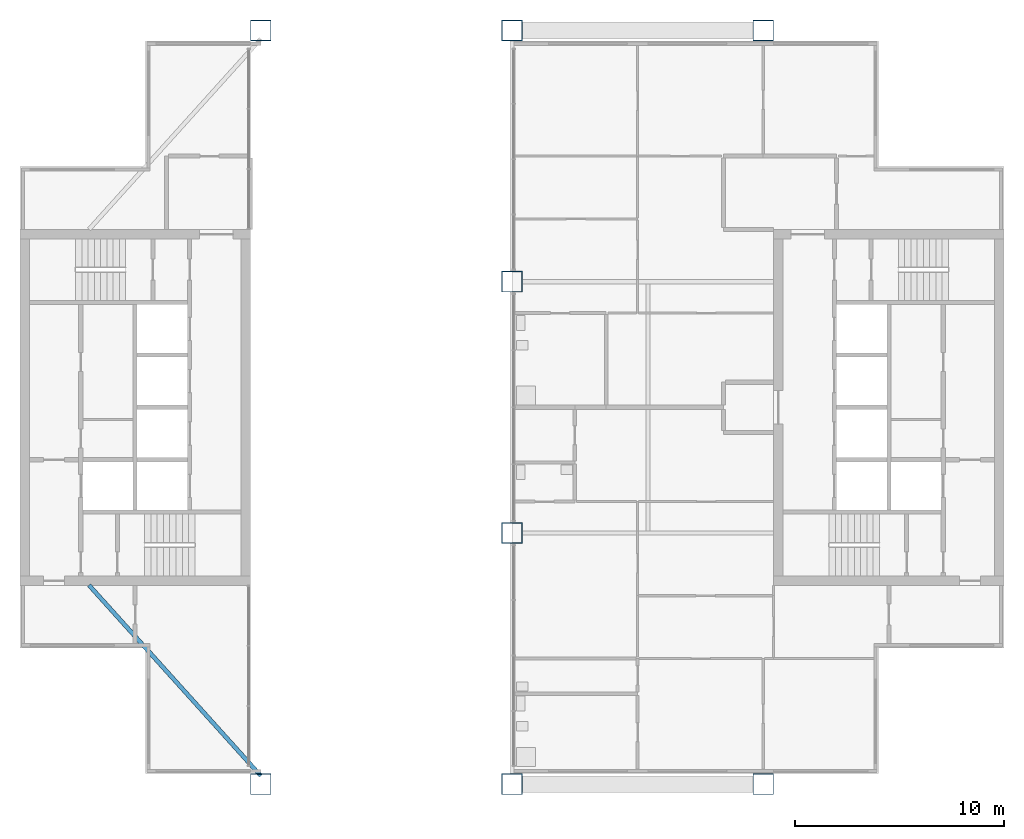
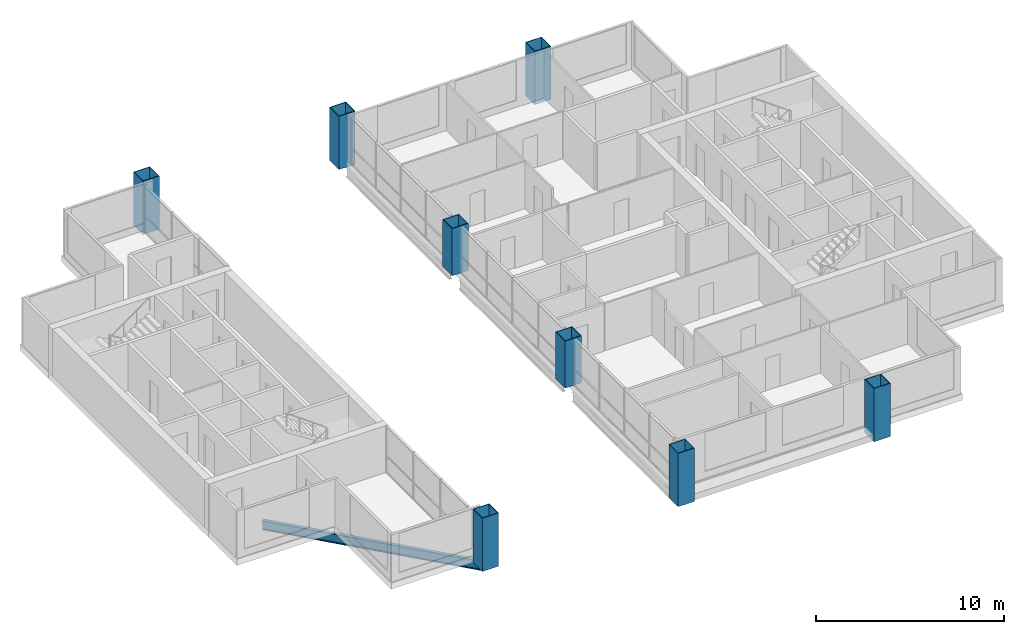
# One storey, part 1 of 12: 8 columns, 1 beam.
"""IFC4 building model written with IfcOpenShell, lengths in metres."""

from ifc_helpers import new_model, si_unit, direction, frame, origin, origin_2d, place, context, subcontext, project, spatial, hollow_rectangle, i_section, extrude, material, material_profile, profile_set, type_object, element, save


model = new_model("IFC4")

# Units and contexts
model_context = context("Model", 3, precision=1e-05, world=origin(), true_north=direction((0.0, 1.0)))
body_context = subcontext(model_context, "Body", "Model", "MODEL_VIEW")
ifc_project = project(units=[si_unit("LENGTHUNIT", "METRE"), si_unit("AREAUNIT", "SQUARE_METRE"), si_unit("VOLUMEUNIT", "CUBIC_METRE"), si_unit("PLANEANGLEUNIT", "RADIAN"), si_unit("MASSUNIT", "GRAM", prefix="KILO")], contexts=[model_context])

# Site, building, storey
site_placement = place(None, origin())
site = spatial("IfcSite", under=ifc_project, at=site_placement, CompositionType="ELEMENT")
building_placement = place(site_placement, origin())
building = spatial("IfcBuilding", under=site, at=building_placement, Name="Kitamizu Gate Tower and Museum", CompositionType="ELEMENT")
storey_placement = place(building_placement, frame((0.0, 0.0, 255.89990234375)))
storey = spatial("IfcBuildingStorey", under=building, at=storey_placement, Name="L69", CompositionType="ELEMENT", Elevation=255.89990234375)

# Columns
ifc_material_1 = material(Name="Steel SM490A bronze coated", Category="steel")
ifc_material_profile_1 = material_profile(ifc_material_1, hollow_rectangle(XDim=1.0, YDim=1.0, WallThickness=0.035888671875, at=origin_2d()), Name="BOX 1000x1000x36")
ifc_profile_set_1 = profile_set([ifc_material_profile_1], Name="Steel SM490A bronze coated")
column_type_1 = type_object("IfcColumnType", Name="Exoskeleton column XC9 BOX 1000x1000x36", PredefinedType="COLUMN", material=ifc_profile_set_1)
for number, where, z_axis, x_axis, name in (
    (1, (24.0, 12.0, -0.39990234375), (0.0, 0.0, 1.0), (1.0, 0.0, 0.0), "Column XC9 3B L69"),
    (2, (24.0, 48.0, -0.39990234375), (0.0, 0.0, 1.0), (1.0, 0.0, 0.0), "Column XC9 3E L69"),
    (3, (36.0, 12.0, -0.39990234375), (0.0, 0.0, 1.0), (1.0, 0.0, 0.0), "Column XC9 4B L69"),
    (4, (36.0, 48.0, -0.39990234375), (0.0, 0.0, 1.0), (1.0, 0.0, 0.0), "Column XC9 4E L69"),
    (5, (48.0, 12.0, -0.39990234375), (0.0, 0.0, 1.0), (1.0, 0.0, 0.0), "Column XC9 5B L69"),
    (6, (48.0, 48.0, -0.39990234375), (0.0, 0.0, 1.0), (1.0, 0.0, 0.0), "Column XC9 5E L69"),
):
    element("IfcColumn", number, at=place(storey_placement, frame(where, z_axis=z_axis, x_axis=x_axis)), inside=storey, type_object=column_type_1, Name=name, PredefinedType="COLUMN", context=body_context, shape_type="SweptSolid", body=[
        extrude(hollow_rectangle(XDim=1.0, YDim=1.0, WallThickness=0.035888671875, at=origin_2d()), origin(), (0.0, 0.0, 1.0), 3.449951171875),
    ])
ifc_material_2 = material(Name="Steel SM490A", Category="steel")
ifc_material_profile_2 = material_profile(ifc_material_2, hollow_rectangle(XDim=1.0, YDim=1.0, WallThickness=0.0400390625, at=origin_2d()), Name="BOX 1000x1000x40")
ifc_profile_set_2 = profile_set([ifc_material_profile_2], Name="Steel SM490A")
column_type_2 = type_object("IfcColumnType", Name="Interior column IC5 BOX 1000x1000x40", PredefinedType="COLUMN", material=ifc_profile_set_2)
for number, where, z_axis, x_axis, name in (
    (7, (36.0, 24.0, 0.0), (0.0, 0.0, 1.0), (1.0, 0.0, 0.0), "Column IC5 4C L69"),
    (8, (36.0, 36.0, 0.0), (0.0, 0.0, 1.0), (1.0, 0.0, 0.0), "Column IC5 4D L69"),
):
    element("IfcColumn", number, at=place(storey_placement, frame(where, z_axis=z_axis, x_axis=x_axis)), inside=storey, type_object=column_type_2, Name=name, PredefinedType="COLUMN", context=body_context, shape_type="SweptSolid", body=[
        extrude(hollow_rectangle(XDim=1.0, YDim=1.0, WallThickness=0.0400390625, at=origin_2d()), origin(), (0.0, 0.0, 1.0), 3.050048828125),
    ])

# Beam
ifc_material_3 = material(Name="Steel SM490A", Category="steel")
ifc_material_profile_3 = material_profile(ifc_material_3, i_section(OverallWidth=0.199951171875, OverallDepth=0.60009765625, WebThickness=0.010986328125, FlangeThickness=0.01708984375, FilletRadius=0.02197265625, at=origin_2d()), Name="H-600x200x11x17")
ifc_profile_set_3 = profile_set([ifc_material_profile_3], Name="Steel SM490A")
beam_type = type_object("IfcBeamType", Name="Floor girder FG1 H 600x200x11x17", PredefinedType="BEAM", material=ifc_profile_set_3)
beam_placement = place(storey_placement, frame((24.0, 12.39990234375, -0.699951171875), z_axis=(-0.669409471884, 0.742893639057, 0.0), x_axis=(-0.742893639057, -0.669409471884, 0.0)))
element("IfcBeam", 9, at=beam_placement, inside=storey, type_object=beam_type, Name="Portal flank girder S L69", PredefinedType="BEAM", context=body_context, shape_type="SweptSolid", body=[
    extrude(i_section(OverallWidth=0.199951171875, OverallDepth=0.60009765625, WebThickness=0.010986328125, FlangeThickness=0.01708984375, FilletRadius=0.02197265625, at=origin_2d()), origin(), (0.0, 0.0, 1.0), 12.24951171875),
])

save(model, "model.ifc")
